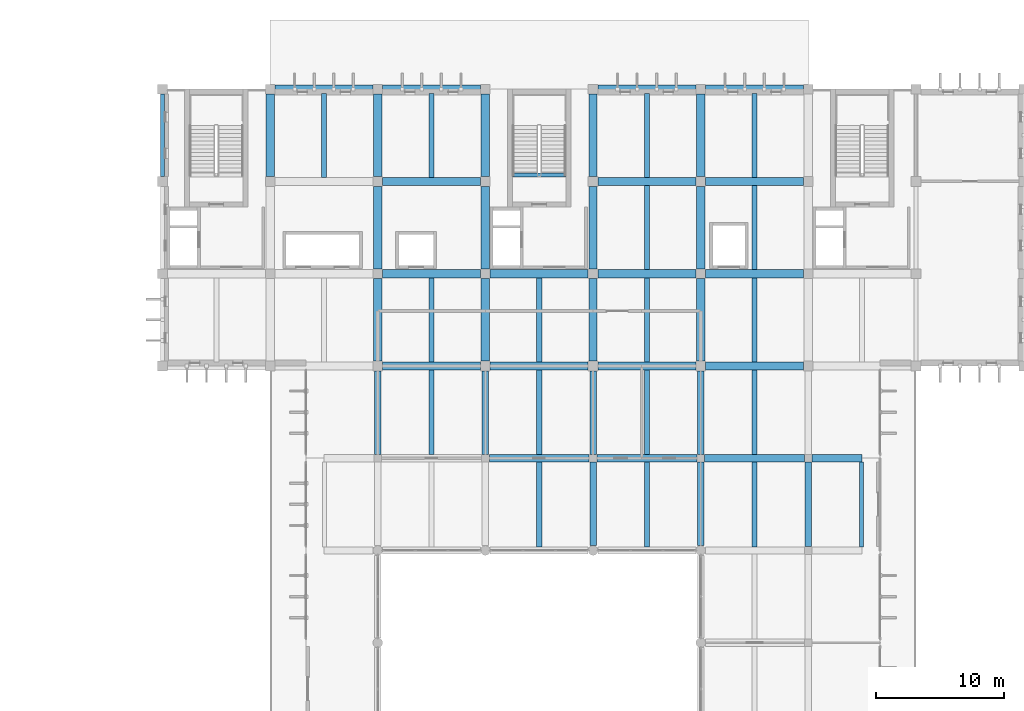
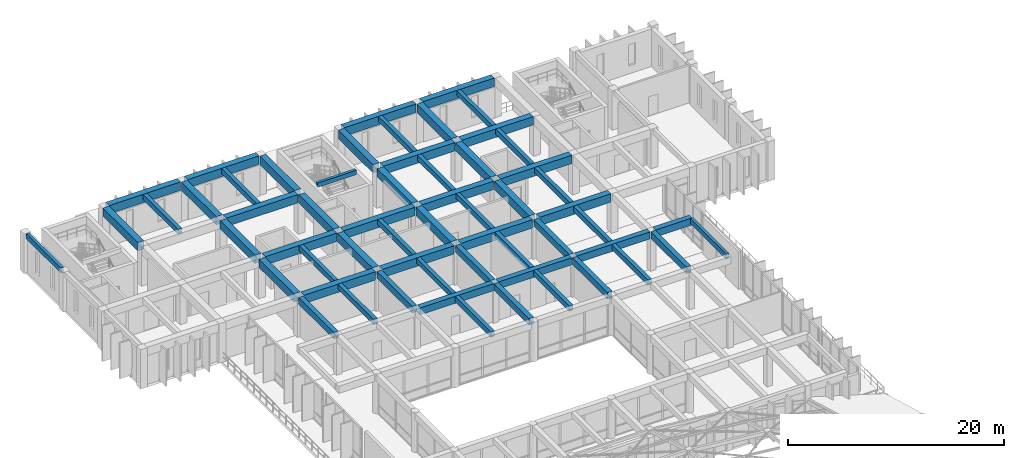
# One storey, part 11 of 23: 59 beams.
"""IFC4 building model written with IfcOpenShell, lengths in metres."""

from ifc_helpers import new_model, si_unit, direction, frame, origin, origin_2d, place, context, subcontext, project, spatial, rectangle, extrude, material, material_profile, profile_set, type_object, element, save


model = new_model("IFC4")

# Units and contexts
model_context = context("Model", 3, precision=1e-05, world=origin(), true_north=direction((0.0, 1.0)))
body_context = subcontext(model_context, "Body", "Model", "MODEL_VIEW")
ifc_project = project(units=[si_unit("LENGTHUNIT", "METRE"), si_unit("AREAUNIT", "SQUARE_METRE"), si_unit("VOLUMEUNIT", "CUBIC_METRE"), si_unit("PLANEANGLEUNIT", "RADIAN"), si_unit("MASSUNIT", "GRAM", prefix="KILO")], contexts=[model_context])

# Site, building, storey
site_placement = place(None, origin())
site = spatial("IfcSite", under=ifc_project, at=site_placement, CompositionType="ELEMENT")
building_placement = place(site_placement, origin())
building = spatial("IfcBuilding", under=site, at=building_placement, Name="Kenerak Square Central Library", CompositionType="ELEMENT")
storey_placement = place(building_placement, frame((0.0, 0.0, 18.8798828125)))
storey = spatial("IfcBuildingStorey", under=building, at=storey_placement, Name="L04", CompositionType="ELEMENT", Elevation=18.8798828125)

# Beams
ifc_material_1 = material(Name="Concrete C45/55", Category="concrete")
ifc_material_profile_1 = material_profile(ifc_material_1, rectangle(XDim=0.64990234375, YDim=0.949951171875, at=origin_2d()), Name="RC 650x950")
ifc_profile_set_1 = profile_set([ifc_material_profile_1], Name="Concrete C45/55")
beam_type_1 = type_object("IfcBeamType", Name="Book Stack Girder B-02 RC 650x950 C45/55", PredefinedType="BEAM", material=ifc_profile_set_1)
beam_1_placement = place(storey_placement, frame((75.574951171875, 88.800048828125, 4.005126953125), z_axis=(1.0, 0.0, 0.0), x_axis=(0.0, 1.0, 0.0)))
element("IfcBeam", 1, at=beam_1_placement, inside=storey, type_object=beam_type_1, Name="Beam B-02 L04 1554", PredefinedType="BEAM", context=body_context, shape_type="SweptSolid", body=[
    extrude(rectangle(XDim=0.64990234375, YDim=0.949951171875, at=origin_2d()), origin(), (0.0, 0.0, 1.0), 7.650146484375),
])
for number, where, z_axis, x_axis, name in (
    (2, (83.97509765625, 88.800048828125, 4.005126953125), (1.0, 0.0, 0.0), (0.0, 1.0, 0.0), "Beam B-02 L04 1555"),
    (3, (92.375, 88.800048828125, 4.005126953125), (1.0, 0.0, 0.0), (0.0, 1.0, 0.0), "Beam B-02 L04 1556"),
):
    element("IfcBeam", number, at=place(storey_placement, frame(where, z_axis=z_axis, x_axis=x_axis)), inside=storey, type_object=beam_type_1, Name=name, PredefinedType="BEAM", context=body_context, shape_type="SweptSolid", body=[
        extrude(rectangle(XDim=0.64990234375, YDim=0.949951171875, at=origin_2d()), origin(), (0.0, 0.0, 1.0), 7.64990234375),
    ])
for number, where, z_axis, x_axis, name in (
    (4, (100.77490234375, 88.800048828125, 4.005126953125), (1.0, 0.0, 0.0), (0.0, 1.0, 0.0), "Beam B-02 L04 1557"),
    (5, (75.574951171875, 96.0, 4.005126953125), (1.0, 0.0, 0.0), (0.0, 1.0, 0.0), "Beam B-02 L04 1561"),
):
    element("IfcBeam", number, at=place(storey_placement, frame(where, z_axis=z_axis, x_axis=x_axis)), inside=storey, type_object=beam_type_1, Name=name, PredefinedType="BEAM", context=body_context, shape_type="SweptSolid", body=[
        extrude(rectangle(XDim=0.64990234375, YDim=0.949951171875, at=origin_2d()), origin(), (0.0, 0.0, 1.0), 7.650146484375),
    ])
for number, where, z_axis, x_axis, name in (
    (6, (83.97509765625, 96.0, 4.005126953125), (1.0, 0.0, 0.0), (0.0, 1.0, 0.0), "Beam B-02 L04 1562"),
    (7, (92.375, 96.0, 4.005126953125), (1.0, 0.0, 0.0), (0.0, 1.0, 0.0), "Beam B-02 L04 1563"),
):
    element("IfcBeam", number, at=place(storey_placement, frame(where, z_axis=z_axis, x_axis=x_axis)), inside=storey, type_object=beam_type_1, Name=name, PredefinedType="BEAM", context=body_context, shape_type="SweptSolid", body=[
        extrude(rectangle(XDim=0.64990234375, YDim=0.949951171875, at=origin_2d()), origin(), (0.0, 0.0, 1.0), 7.64990234375),
    ])
for number, where, z_axis, x_axis, name in (
    (8, (100.77490234375, 96.0, 4.005126953125), (1.0, 0.0, 0.0), (0.0, 1.0, 0.0), "Beam B-02 L04 1564"),
    (9, (75.574951171875, 103.199951171875, 4.005126953125), (1.0, 0.0, 0.0), (0.0, 1.0, 0.0), "Beam B-02 L04 1567"),
):
    element("IfcBeam", number, at=place(storey_placement, frame(where, z_axis=z_axis, x_axis=x_axis)), inside=storey, type_object=beam_type_1, Name=name, PredefinedType="BEAM", context=body_context, shape_type="SweptSolid", body=[
        extrude(rectangle(XDim=0.64990234375, YDim=0.949951171875, at=origin_2d()), origin(), (0.0, 0.0, 1.0), 7.650146484375),
    ])
beam_2_placement = place(storey_placement, frame((92.375, 103.199951171875, 4.005126953125), z_axis=(1.0, 0.0, 0.0), x_axis=(0.0, 1.0, 0.0)))
element("IfcBeam", 10, at=beam_2_placement, inside=storey, type_object=beam_type_1, Name="Beam B-02 L04 1568", PredefinedType="BEAM", context=body_context, shape_type="SweptSolid", body=[
    extrude(rectangle(XDim=0.64990234375, YDim=0.949951171875, at=origin_2d()), origin(), (0.0, 0.0, 1.0), 7.64990234375),
])
beam_3_placement = place(storey_placement, frame((100.77490234375, 103.199951171875, 4.005126953125), z_axis=(1.0, 0.0, 0.0), x_axis=(0.0, 1.0, 0.0)))
element("IfcBeam", 11, at=beam_3_placement, inside=storey, type_object=beam_type_1, Name="Beam B-02 L04 1569", PredefinedType="BEAM", context=body_context, shape_type="SweptSolid", body=[
    extrude(rectangle(XDim=0.64990234375, YDim=0.949951171875, at=origin_2d()), origin(), (0.0, 0.0, 1.0), 7.650146484375),
])
beam_4_placement = place(storey_placement, frame((67.175048828125, 110.39990234375, 4.005126953125), z_axis=(1.0, 0.0, 0.0), x_axis=(0.0, 1.0, 0.0)))
element("IfcBeam", 12, at=beam_4_placement, inside=storey, type_object=beam_type_1, Name="Beam B-02 L04 1570", PredefinedType="BEAM", context=body_context, shape_type="SweptSolid", body=[
    extrude(rectangle(XDim=0.64990234375, YDim=0.949951171875, at=origin_2d()), origin(), (0.0, 0.0, 1.0), 7.64990234375),
])
beam_5_placement = place(storey_placement, frame((75.574951171875, 110.39990234375, 4.005126953125), z_axis=(1.0, 0.0, 0.0), x_axis=(0.0, 1.0, 0.0)))
element("IfcBeam", 13, at=beam_5_placement, inside=storey, type_object=beam_type_1, Name="Beam B-02 L04 1571", PredefinedType="BEAM", context=body_context, shape_type="SweptSolid", body=[
    extrude(rectangle(XDim=0.64990234375, YDim=0.949951171875, at=origin_2d()), origin(), (0.0, 0.0, 1.0), 7.650146484375),
])
beam_6_placement = place(storey_placement, frame((92.375, 110.39990234375, 4.005126953125), z_axis=(1.0, 0.0, 0.0), x_axis=(0.0, 1.0, 0.0)))
element("IfcBeam", 14, at=beam_6_placement, inside=storey, type_object=beam_type_1, Name="Beam B-02 L04 1572", PredefinedType="BEAM", context=body_context, shape_type="SweptSolid", body=[
    extrude(rectangle(XDim=0.64990234375, YDim=0.949951171875, at=origin_2d()), origin(), (0.0, 0.0, 1.0), 7.64990234375),
])
beam_7_placement = place(storey_placement, frame((100.77490234375, 110.39990234375, 4.005126953125), z_axis=(1.0, 0.0, 0.0), x_axis=(0.0, 1.0, 0.0)))
element("IfcBeam", 15, at=beam_7_placement, inside=storey, type_object=beam_type_1, Name="Beam B-02 L04 1573", PredefinedType="BEAM", context=body_context, shape_type="SweptSolid", body=[
    extrude(rectangle(XDim=0.64990234375, YDim=0.949951171875, at=origin_2d()), origin(), (0.0, 0.0, 1.0), 7.650146484375),
])
for number, where, z_axis, x_axis, name in (
    (16, (66.800048828125, 103.574951171875, 4.005126953125), (0.0, 1.0, 0.0), (-1.0, 0.0, 0.0), "Beam B-02 L04 1579"),
    (17, (75.199951171875, 89.175048828125, 4.005126953125), (0.0, 1.0, 0.0), (-1.0, 0.0, 0.0), "Beam B-02 L04 1585"),
    (18, (75.199951171875, 96.375, 4.005126953125), (0.0, 1.0, 0.0), (-1.0, 0.0, 0.0), "Beam B-02 L04 1586"),
    (19, (75.199951171875, 103.574951171875, 4.005126953125), (0.0, 1.0, 0.0), (-1.0, 0.0, 0.0), "Beam B-02 L04 1587"),
    (20, (83.60009765625, 89.175048828125, 4.005126953125), (0.0, 1.0, 0.0), (-1.0, 0.0, 0.0), "Beam B-02 L04 1591"),
    (21, (83.60009765625, 96.375, 4.005126953125), (0.0, 1.0, 0.0), (-1.0, 0.0, 0.0), "Beam B-02 L04 1592"),
    (22, (83.60009765625, 103.574951171875, 4.005126953125), (0.0, 1.0, 0.0), (-1.0, 0.0, 0.0), "Beam B-02 L04 1593"),
    (23, (92.0, 89.175048828125, 4.005126953125), (0.0, 1.0, 0.0), (-1.0, 0.0, 0.0), "Beam B-02 L04 1597"),
    (24, (92.0, 96.375, 4.005126953125), (0.0, 1.0, 0.0), (-1.0, 0.0, 0.0), "Beam B-02 L04 1598"),
    (25, (92.0, 103.574951171875, 4.005126953125), (0.0, 1.0, 0.0), (-1.0, 0.0, 0.0), "Beam B-02 L04 1599"),
    (26, (100.39990234375, 89.175048828125, 4.005126953125), (0.0, 1.0, 0.0), (-1.0, 0.0, 0.0), "Beam B-02 L04 1605"),
    (27, (100.39990234375, 96.375, 4.005126953125), (0.0, 1.0, 0.0), (-1.0, 0.0, 0.0), "Beam B-02 L04 1606"),
    (28, (100.39990234375, 103.574951171875, 4.005126953125), (0.0, 1.0, 0.0), (-1.0, 0.0, 0.0), "Beam B-02 L04 1607"),
):
    element("IfcBeam", number, at=place(storey_placement, frame(where, z_axis=z_axis, x_axis=x_axis)), inside=storey, type_object=beam_type_1, Name=name, PredefinedType="BEAM", context=body_context, shape_type="SweptSolid", body=[
        extrude(rectangle(XDim=0.64990234375, YDim=0.949951171875, at=origin_2d()), origin(), (0.0, 0.0, 1.0), 6.449951171875),
    ])
ifc_material_2 = material(Name="Concrete C40/50", Category="concrete")
ifc_material_profile_2 = material_profile(ifc_material_2, rectangle(XDim=0.300048828125, YDim=0.60009765625, at=origin_2d()), Name="RC 300x600")
ifc_profile_set_2 = profile_set([ifc_material_profile_2], Name="Concrete C40/50")
beam_type_2 = type_object("IfcBeamType", Name="Courtyard Spandrel Beam SP-02 RC 300x600 C40/50", PredefinedType="SPANDREL", material=ifc_profile_set_2)
beam_8_placement = place(storey_placement, frame((58.39990234375, 103.574951171875, 4.18017578125), z_axis=(0.0, 1.0, 0.0), x_axis=(-1.0, 0.0, 0.0)))
element("IfcBeam", 29, at=beam_8_placement, inside=storey, type_object=beam_type_2, Name="Beam SP-02 L04 1576", PredefinedType="SPANDREL", context=body_context, shape_type="SweptSolid", body=[
    extrude(rectangle(XDim=0.300048828125, YDim=0.60009765625, at=origin_2d()), origin(), (0.0, 0.0, 1.0), 6.449951171875),
])
beam_9_placement = place(storey_placement, frame((112.949951171875, 74.675048828125, 4.18017578125), z_axis=(0.0, 1.0, 0.0), x_axis=(-1.0, 0.0, 0.0)))
element("IfcBeam", 30, at=beam_9_placement, inside=storey, type_object=beam_type_2, Name="Terrace Edge Spandrel SP-02 L04 SBE-74", PredefinedType="SPANDREL", context=body_context, shape_type="SweptSolid", body=[
    extrude(rectangle(XDim=0.300048828125, YDim=0.60009765625, at=origin_2d()), origin(), (0.0, 0.0, 1.0), 6.64990234375),
])
ifc_material_profile_3 = material_profile(ifc_material_2, rectangle(XDim=0.300048828125, YDim=0.5, at=origin_2d()), Name="RC 300x500")
ifc_profile_set_3 = profile_set([ifc_material_profile_3], Name="Concrete C40/50")
beam_type_3 = type_object("IfcBeamType", Name="Landing Support Beam B-08 RC 300x500 C40/50", PredefinedType="BEAM", material=ifc_profile_set_3)
beam_10_placement = place(storey_placement, frame((85.719970703125, 103.7099609375, 4.230224609375), z_axis=(1.0, 0.0, 0.0), x_axis=(0.0, 1.0, 0.0)))
element("IfcBeam", 31, at=beam_10_placement, inside=storey, type_object=beam_type_3, Name="Stair Threshold Beam B-08 ST-02 L05", PredefinedType="BEAM", context=body_context, shape_type="SweptSolid", body=[
    extrude(rectangle(XDim=0.300048828125, YDim=0.5, at=origin_2d()), origin(), (0.0, 0.0, 1.0), 4.159912109375),
])
ifc_material_profile_4 = material_profile(ifc_material_2, rectangle(XDim=0.550048828125, YDim=0.800048828125, at=origin_2d()), Name="RC 550x800")
ifc_profile_set_4 = profile_set([ifc_material_profile_4], Name="Concrete C40/50")
beam_type_4 = type_object("IfcBeamType", Name="Primary Reading Beam B-04 RC 550x800 C40/50", PredefinedType="BEAM", material=ifc_profile_set_4)
for number, where, z_axis, x_axis, name in (
    (32, (83.89990234375, 81.60009765625, 4.080078125), (1.0, 0.0, 0.0), (0.0, 1.0, 0.0), "Beam B-04 L04 1549"),
    (33, (92.300048828125, 81.60009765625, 4.080078125), (1.0, 0.0, 0.0), (0.0, 1.0, 0.0), "Beam B-04 L04 1550"),
    (34, (100.699951171875, 81.60009765625, 4.080078125), (1.0, 0.0, 0.0), (0.0, 1.0, 0.0), "Beam B-04 L04 1551"),
):
    element("IfcBeam", number, at=place(storey_placement, frame(where, z_axis=z_axis, x_axis=x_axis)), inside=storey, type_object=beam_type_4, Name=name, PredefinedType="BEAM", context=body_context, shape_type="SweptSolid", body=[
        extrude(rectangle(XDim=0.550048828125, YDim=0.800048828125, at=origin_2d()), origin(), (0.0, 0.0, 1.0), 7.800048828125),
    ])
beam_11_placement = place(storey_placement, frame((109.10009765625, 81.60009765625, 4.080078125), z_axis=(1.0, 0.0, 0.0), x_axis=(0.0, 1.0, 0.0)))
element("IfcBeam", 35, at=beam_11_placement, inside=storey, type_object=beam_type_4, Name="Terrace Cantilever Bracket B-04 L04 SBE-M", PredefinedType="BEAM", context=body_context, shape_type="SweptSolid", body=[
    extrude(rectangle(XDim=0.550048828125, YDim=0.800048828125, at=origin_2d()), origin(), (0.0, 0.0, 1.0), 3.89990234375),
])
ifc_material_profile_5 = material_profile(ifc_material_2, rectangle(XDim=0.39990234375, YDim=0.60009765625, at=origin_2d()), Name="RC 400x600")
ifc_profile_set_5 = profile_set([ifc_material_profile_5], Name="Concrete C40/50")
beam_type_5 = type_object("IfcBeamType", Name="Secondary Floor Joist J-01 RC 400x600 C40/50", PredefinedType="JOIST", material=ifc_profile_set_5)
beam_12_placement = place(storey_placement, frame((71.0, 103.52490234375, 4.18017578125), z_axis=(0.0, 1.0, 0.0), x_axis=(-1.0, 0.0, 0.0)))
element("IfcBeam", 36, at=beam_12_placement, inside=storey, type_object=beam_type_5, Name="Joist J-01 L04 1621", PredefinedType="JOIST", context=body_context, shape_type="SweptSolid", body=[
    extrude(rectangle(XDim=0.39990234375, YDim=0.60009765625, at=origin_2d()), origin(), (0.0, 0.0, 1.0), 6.550048828125),
])
beam_13_placement = place(storey_placement, frame((79.39990234375, 81.875, 4.18017578125), z_axis=(0.0, 1.0, 0.0), x_axis=(-1.0, 0.0, 0.0)))
element("IfcBeam", 37, at=beam_13_placement, inside=storey, type_object=beam_type_5, Name="Joist J-01 L04 1624", PredefinedType="JOIST", context=body_context, shape_type="SweptSolid", body=[
    extrude(rectangle(XDim=0.39990234375, YDim=0.60009765625, at=origin_2d()), origin(), (0.0, 0.0, 1.0), 6.60009765625),
])
for number, where, z_axis, x_axis, name in (
    (38, (79.39990234375, 89.125, 4.18017578125), (0.0, 1.0, 0.0), (-1.0, 0.0, 0.0), "Joist J-01 L04 1625"),
    (39, (79.39990234375, 103.52490234375, 4.18017578125), (0.0, 1.0, 0.0), (-1.0, 0.0, 0.0), "Joist J-01 L04 1626"),
):
    element("IfcBeam", number, at=place(storey_placement, frame(where, z_axis=z_axis, x_axis=x_axis)), inside=storey, type_object=beam_type_5, Name=name, PredefinedType="JOIST", context=body_context, shape_type="SweptSolid", body=[
        extrude(rectangle(XDim=0.39990234375, YDim=0.60009765625, at=origin_2d()), origin(), (0.0, 0.0, 1.0), 6.550048828125),
    ])
beam_14_placement = place(storey_placement, frame((87.800048828125, 74.675048828125, 4.18017578125), z_axis=(0.0, 1.0, 0.0), x_axis=(-1.0, 0.0, 0.0)))
element("IfcBeam", 40, at=beam_14_placement, inside=storey, type_object=beam_type_5, Name="Joist J-01 L04 1628", PredefinedType="JOIST", context=body_context, shape_type="SweptSolid", body=[
    extrude(rectangle(XDim=0.39990234375, YDim=0.60009765625, at=origin_2d()), origin(), (0.0, 0.0, 1.0), 6.64990234375),
])
beam_15_placement = place(storey_placement, frame((87.800048828125, 81.875, 4.18017578125), z_axis=(0.0, 1.0, 0.0), x_axis=(-1.0, 0.0, 0.0)))
element("IfcBeam", 41, at=beam_15_placement, inside=storey, type_object=beam_type_5, Name="Joist J-01 L04 1629", PredefinedType="JOIST", context=body_context, shape_type="SweptSolid", body=[
    extrude(rectangle(XDim=0.39990234375, YDim=0.60009765625, at=origin_2d()), origin(), (0.0, 0.0, 1.0), 6.60009765625),
])
beam_16_placement = place(storey_placement, frame((87.800048828125, 89.125, 4.18017578125), z_axis=(0.0, 1.0, 0.0), x_axis=(-1.0, 0.0, 0.0)))
element("IfcBeam", 42, at=beam_16_placement, inside=storey, type_object=beam_type_5, Name="Joist J-01 L04 1630", PredefinedType="JOIST", context=body_context, shape_type="SweptSolid", body=[
    extrude(rectangle(XDim=0.39990234375, YDim=0.60009765625, at=origin_2d()), origin(), (0.0, 0.0, 1.0), 6.550048828125),
])
beam_17_placement = place(storey_placement, frame((96.199951171875, 74.675048828125, 4.18017578125), z_axis=(0.0, 1.0, 0.0), x_axis=(-1.0, 0.0, 0.0)))
element("IfcBeam", 43, at=beam_17_placement, inside=storey, type_object=beam_type_5, Name="Joist J-01 L04 1632", PredefinedType="JOIST", context=body_context, shape_type="SweptSolid", body=[
    extrude(rectangle(XDim=0.39990234375, YDim=0.60009765625, at=origin_2d()), origin(), (0.0, 0.0, 1.0), 6.64990234375),
])
beam_18_placement = place(storey_placement, frame((96.199951171875, 81.875, 4.18017578125), z_axis=(0.0, 1.0, 0.0), x_axis=(-1.0, 0.0, 0.0)))
element("IfcBeam", 44, at=beam_18_placement, inside=storey, type_object=beam_type_5, Name="Joist J-01 L04 1633", PredefinedType="JOIST", context=body_context, shape_type="SweptSolid", body=[
    extrude(rectangle(XDim=0.39990234375, YDim=0.60009765625, at=origin_2d()), origin(), (0.0, 0.0, 1.0), 6.60009765625),
])
for number, where, z_axis, x_axis, name in (
    (45, (96.199951171875, 89.125, 4.18017578125), (0.0, 1.0, 0.0), (-1.0, 0.0, 0.0), "Joist J-01 L04 1634"),
    (46, (96.199951171875, 96.324951171875, 4.18017578125), (0.0, 1.0, 0.0), (-1.0, 0.0, 0.0), "Joist J-01 L04 1635"),
    (47, (96.199951171875, 103.52490234375, 4.18017578125), (0.0, 1.0, 0.0), (-1.0, 0.0, 0.0), "Joist J-01 L04 1636"),
):
    element("IfcBeam", number, at=place(storey_placement, frame(where, z_axis=z_axis, x_axis=x_axis)), inside=storey, type_object=beam_type_5, Name=name, PredefinedType="JOIST", context=body_context, shape_type="SweptSolid", body=[
        extrude(rectangle(XDim=0.39990234375, YDim=0.60009765625, at=origin_2d()), origin(), (0.0, 0.0, 1.0), 6.550048828125),
    ])
beam_19_placement = place(storey_placement, frame((104.60009765625, 74.675048828125, 4.18017578125), z_axis=(0.0, 1.0, 0.0), x_axis=(-1.0, 0.0, 0.0)))
element("IfcBeam", 48, at=beam_19_placement, inside=storey, type_object=beam_type_5, Name="Joist J-01 L04 1640", PredefinedType="JOIST", context=body_context, shape_type="SweptSolid", body=[
    extrude(rectangle(XDim=0.39990234375, YDim=0.60009765625, at=origin_2d()), origin(), (0.0, 0.0, 1.0), 6.64990234375),
])
beam_20_placement = place(storey_placement, frame((104.60009765625, 81.875, 4.18017578125), z_axis=(0.0, 1.0, 0.0), x_axis=(-1.0, 0.0, 0.0)))
element("IfcBeam", 49, at=beam_20_placement, inside=storey, type_object=beam_type_5, Name="Joist J-01 L04 1641", PredefinedType="JOIST", context=body_context, shape_type="SweptSolid", body=[
    extrude(rectangle(XDim=0.39990234375, YDim=0.60009765625, at=origin_2d()), origin(), (0.0, 0.0, 1.0), 6.60009765625),
])
for number, where, z_axis, x_axis, name in (
    (50, (104.60009765625, 89.125, 4.18017578125), (0.0, 1.0, 0.0), (-1.0, 0.0, 0.0), "Joist J-01 L04 1642"),
    (51, (104.60009765625, 96.324951171875, 4.18017578125), (0.0, 1.0, 0.0), (-1.0, 0.0, 0.0), "Joist J-01 L04 1643"),
    (52, (104.60009765625, 103.52490234375, 4.18017578125), (0.0, 1.0, 0.0), (-1.0, 0.0, 0.0), "Joist J-01 L04 1644"),
):
    element("IfcBeam", number, at=place(storey_placement, frame(where, z_axis=z_axis, x_axis=x_axis)), inside=storey, type_object=beam_type_5, Name=name, PredefinedType="JOIST", context=body_context, shape_type="SweptSolid", body=[
        extrude(rectangle(XDim=0.39990234375, YDim=0.60009765625, at=origin_2d()), origin(), (0.0, 0.0, 1.0), 6.550048828125),
    ])
ifc_material_profile_6 = material_profile(ifc_material_2, rectangle(XDim=0.5, YDim=0.75, at=origin_2d()), Name="RC 500x750")
ifc_profile_set_6 = profile_set([ifc_material_profile_6], Name="Concrete C40/50")
beam_type_6 = type_object("IfcBeamType", Name="Transverse Frame Beam B-05 RC 500x750 C40/50", PredefinedType="BEAM", material=ifc_profile_set_6)
for number, where, z_axis, x_axis, name in (
    (53, (75.199951171875, 81.89990234375, 4.105224609375), (0.0, 1.0, 0.0), (-1.0, 0.0, 0.0), "Beam B-05 L04 1584"),
    (54, (83.60009765625, 81.89990234375, 4.105224609375), (0.0, 1.0, 0.0), (-1.0, 0.0, 0.0), "Beam B-05 L04 1590"),
    (55, (92.0, 74.77490234375, 4.105224609375), (0.0, 1.0, 0.0), (-1.0, 0.0, 0.0), "Beam B-05 L04 1595"),
    (56, (92.0, 81.89990234375, 4.105224609375), (0.0, 1.0, 0.0), (-1.0, 0.0, 0.0), "Beam B-05 L04 1596"),
    (57, (100.39990234375, 74.77490234375, 4.105224609375), (0.0, 1.0, 0.0), (-1.0, 0.0, 0.0), "Beam B-05 L04 1603"),
    (58, (100.39990234375, 81.89990234375, 4.105224609375), (0.0, 1.0, 0.0), (-1.0, 0.0, 0.0), "Beam B-05 L04 1604"),
):
    element("IfcBeam", number, at=place(storey_placement, frame(where, z_axis=z_axis, x_axis=x_axis)), inside=storey, type_object=beam_type_6, Name=name, PredefinedType="BEAM", context=body_context, shape_type="SweptSolid", body=[
        extrude(rectangle(XDim=0.5, YDim=0.75, at=origin_2d()), origin(), (0.0, 0.0, 1.0), 6.525146484375),
    ])
beam_21_placement = place(storey_placement, frame((108.800048828125, 74.699951171875, 4.105224609375), z_axis=(0.0, 1.0, 0.0), x_axis=(-1.0, 0.0, 0.0)))
element("IfcBeam", 59, at=beam_21_placement, inside=storey, type_object=beam_type_6, Name="Beam B-05 L04 1611", PredefinedType="BEAM", context=body_context, shape_type="SweptSolid", body=[
    extrude(rectangle(XDim=0.5, YDim=0.75, at=origin_2d()), origin(), (0.0, 0.0, 1.0), 6.60009765625),
])

save(model, "model.ifc")
